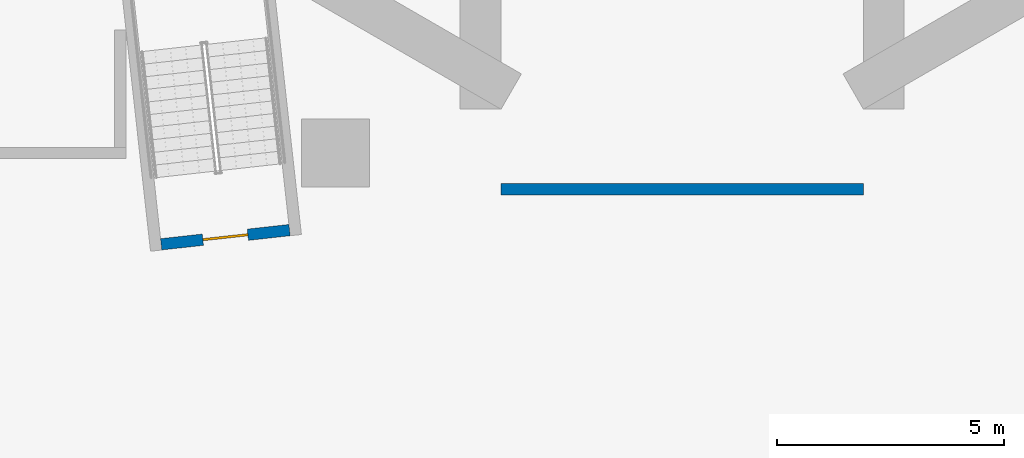
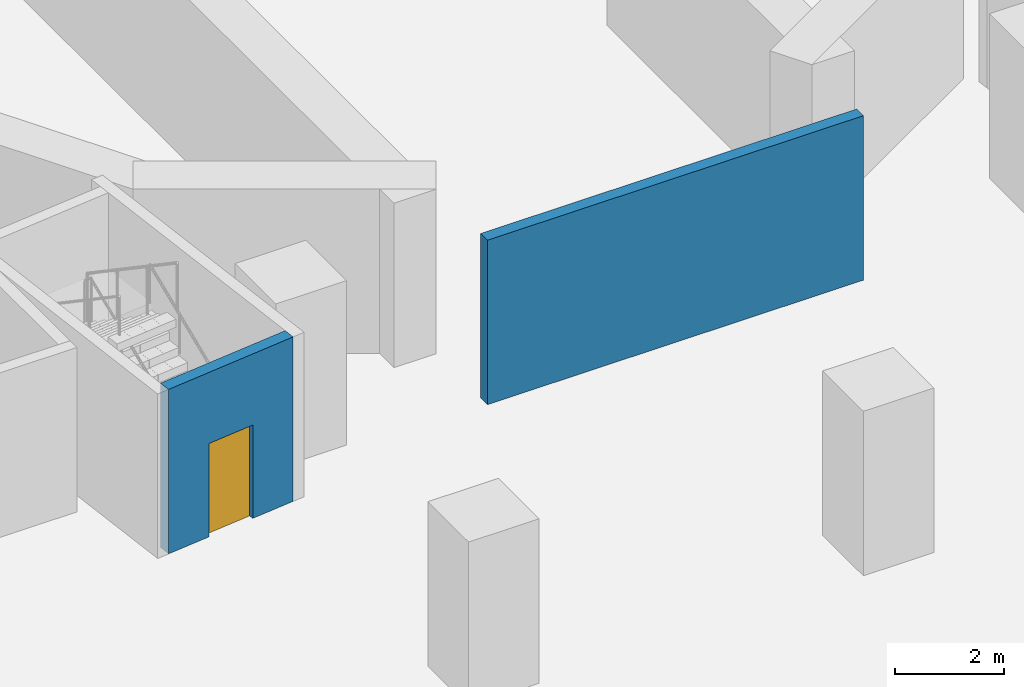
# One storey, part 4 of 18: 2 walls, 1 door, 1 opening.
"""IFC4 building model written with IfcOpenShell, lengths in metres."""

from ifc_helpers import new_model, si_unit, direction, frame, frame_2d, origin, place, context, subcontext, project, spatial, rectangle, extrude, material, layer, layer_set, type_object, element, fill, save


model = new_model("IFC4")

# Units and contexts
model_context = context("Model", 3, precision=1e-05, world=origin(), true_north=direction((0.0, 1.0)))
body_context = subcontext(model_context, "Body", "Model", "MODEL_VIEW")
ifc_project = project(units=[si_unit("LENGTHUNIT", "METRE"), si_unit("AREAUNIT", "SQUARE_METRE"), si_unit("VOLUMEUNIT", "CUBIC_METRE"), si_unit("PLANEANGLEUNIT", "RADIAN"), si_unit("MASSUNIT", "GRAM", prefix="KILO")], contexts=[model_context])

# Site, building, storey
site_placement = place(None, origin())
site = spatial("IfcSite", under=ifc_project, at=site_placement, CompositionType="ELEMENT")
building_placement = place(site_placement, origin())
building = spatial("IfcBuilding", under=site, at=building_placement, Name="Cantera Rosa Tower", CompositionType="ELEMENT")
storey_placement = place(building_placement, frame((0.0, 0.0, -13.0)))
storey = spatial("IfcBuildingStorey", under=building, at=storey_placement, Name="B3", CompositionType="ELEMENT", Elevation=-13.0)

# Wall
ifc_material_1 = material(Name="Masonry blockwork", Category="masonry")
ifc_layer_1 = layer(ifc_material_1, 0.25)
ifc_layer_set_1 = layer_set([ifc_layer_1], Name="Fire-rated wall 250")
wall_type_1 = type_object("IfcWallType", Name="Fire-rated wall 250", PredefinedType="PARTITIONING", material=ifc_layer_set_1)
wall_1_placement = place(storey_placement, frame((-4.0, -13.39990234375, 0.0), z_axis=(0.0, 0.0, 1.0), x_axis=(1.0, 0.0, 0.0)))
element("IfcWall", 1, at=wall_1_placement, inside=storey, type_object=wall_type_1, Name="Fire wall B3-2", PredefinedType="PARTITIONING", context=body_context, shape_type="SweptSolid", body=[
    extrude(rectangle(XDim=8.0, YDim=0.25, at=frame_2d((4.0, 0.0))), origin(), (0.0, 0.0, 1.0), 3.699951171875),
])

# Wall, opening, door
ifc_material_2 = material(Name="Concrete C50/60", Category="concrete")
ifc_layer_2 = layer(ifc_material_2, 0.25)
ifc_layer_set_2 = layer_set([ifc_layer_2], Name="RC stair wall 250 C50/60")
wall_type_2 = type_object("IfcWallType", Name="RC stair wall 250", PredefinedType="SOLIDWALL", material=ifc_layer_set_2)
wall_2_placement = place(storey_placement, frame((-8.66650390625, -14.30029296875, 0.0), z_axis=(0.0, 0.0, 1.0), x_axis=(-0.993904609394, -0.110243491536, 0.0)))
wall_2 = element("IfcWall", 2, at=wall_2_placement, inside=storey, type_object=wall_type_2, Name="Stair wall ST-13 B3-1", PredefinedType="SOLIDWALL", context=body_context, shape_type="SweptSolid", body=[
    extrude(rectangle(XDim=2.85009765625, YDim=0.25, at=frame_2d((1.425048828125, 0.0))), origin(), (0.0, 0.0, 1.0), 3.699951171875),
])
opening_placement = place(wall_2_placement, frame((0.925048828125, 0.0, 0.0)))
opening = element("IfcOpeningElement", 3, at=opening_placement, cuts=wall_2, Name="Opening B3-ST-13", PredefinedType="OPENING", context=body_context, shape_type="SweptSolid", body=[
    extrude(rectangle(XDim=1.0, YDim=2.10009765625, at=frame_2d((0.5, 1.050048828125))), frame((0.0, 0.135009765625, 0.0), z_axis=(0.0, -1.0, 0.0), x_axis=(1.0, 0.0, 0.0)), (0.0, 0.0, 1.0), 0.27001953125),
])
ifc_material_3 = material(Name="Steel S355J2 (EN 10025-2)", Category="steel")
door_type = type_object("IfcDoorType", Name="Fire door 1000x2100 EI 120", OperationType="NOTDEFINED", PredefinedType="DOOR", material=ifc_material_3)
door_placement = place(opening_placement, origin())
door = element("IfcDoor", 4, at=door_placement, inside=storey, type_object=door_type, Name="Door B3-ST-13", OverallHeight=2.10009765625, OverallWidth=1.0, PredefinedType="DOOR", context=body_context, shape_type="SweptSolid", body=[
    extrude(rectangle(XDim=1.0, YDim=2.10009765625, at=frame_2d((0.5, 1.050048828125))), frame((0.0, 0.02490234375, 0.0), z_axis=(0.0, -1.0, 0.0), x_axis=(1.0, 0.0, 0.0)), (0.0, 0.0, 1.0), 0.050048828125),
])
fill(opening, door)

save(model, "model.ifc")
